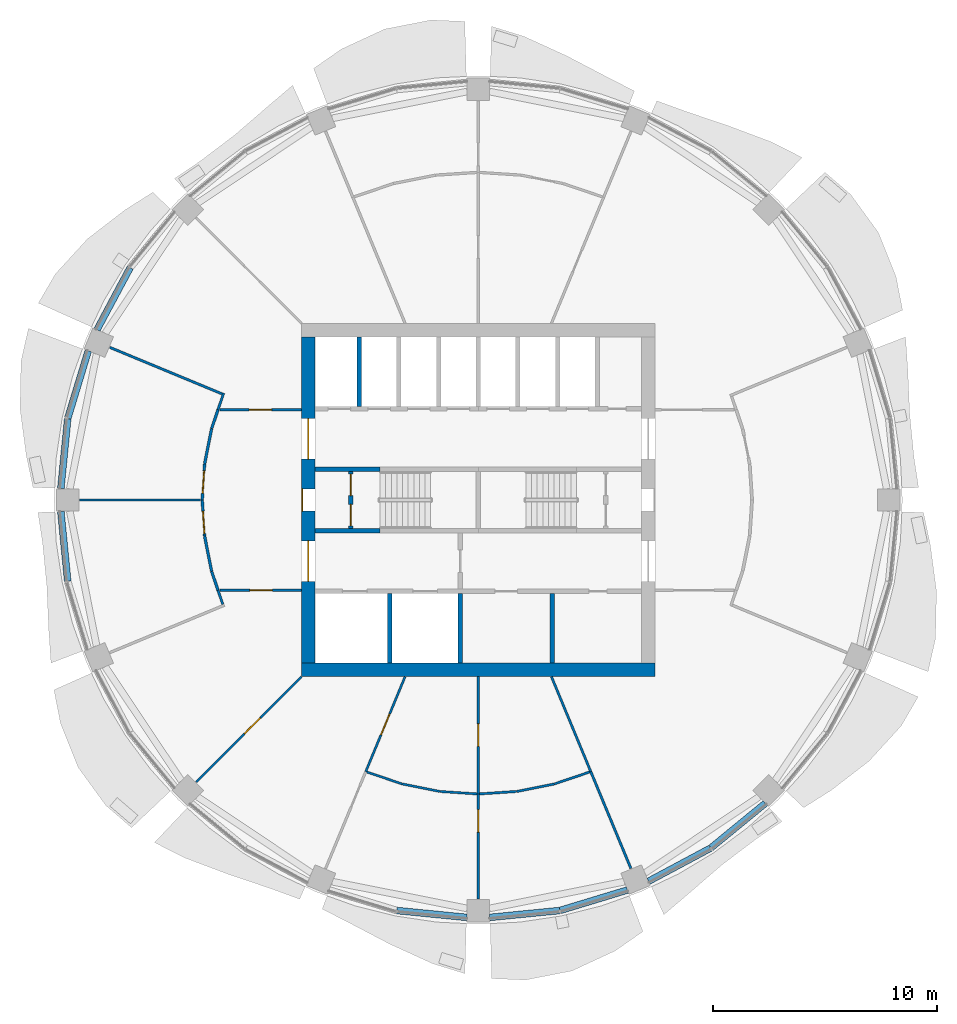
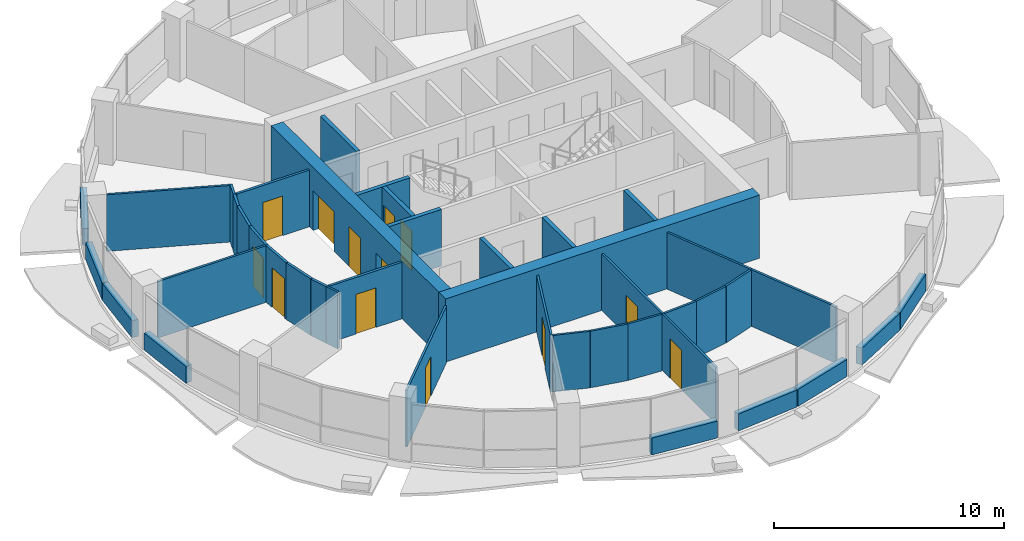
# One storey, part 8 of 14: 42 walls, 13 doors, 13 openings.
"""IFC4 building model written with IfcOpenShell, lengths in metres."""

from ifc_helpers import new_model, si_unit, direction, frame, frame_2d, origin, place, context, subcontext, project, spatial, rectangle, extrude, material, layer, layer_set, type_object, element, fill, save


model = new_model("IFC4")

# Units and contexts
model_context = context("Model", 3, precision=1e-05, world=origin(), true_north=direction((0.0, 1.0)))
body_context = subcontext(model_context, "Body", "Model", "MODEL_VIEW")
ifc_project = project(units=[si_unit("LENGTHUNIT", "METRE"), si_unit("AREAUNIT", "SQUARE_METRE"), si_unit("VOLUMEUNIT", "CUBIC_METRE"), si_unit("PLANEANGLEUNIT", "RADIAN"), si_unit("MASSUNIT", "GRAM", prefix="KILO")], contexts=[model_context])

# Site, building, storey
site_placement = place(None, origin())
site = spatial("IfcSite", under=ifc_project, at=site_placement, CompositionType="ELEMENT")
building_placement = place(site_placement, origin())
building = spatial("IfcBuilding", under=site, at=building_placement, Name="Polderwave Tower", CompositionType="ELEMENT")
storey_placement = place(building_placement, frame((0.0, 0.0, 144.39990234375)))
storey = spatial("IfcBuildingStorey", under=building, at=storey_placement, Name="L38", CompositionType="ELEMENT", Elevation=144.39990234375)

# Wall
ifc_material_1 = material(Name="Concrete C60/75", Category="concrete")
ifc_layer_1 = layer(ifc_material_1, 0.60009765625)
ifc_layer_set_1 = layer_set([ifc_layer_1], Name="CORE WALL 600 C60/75")
wall_type_1 = type_object("IfcWallType", Name="CORE WALL 600 C60/75", PredefinedType="SHEAR", material=ifc_layer_set_1)
wall_1_placement = place(storey_placement, frame((-7.8740234375, -7.573974609375, 0.0), z_axis=(0.0, 0.0, 1.0), x_axis=(1.0, 0.0, 0.0)))
element("IfcWall", 1, at=wall_1_placement, inside=storey, type_object=wall_type_1, Name="ST-CORE-L38-S", PredefinedType="SHEAR", context=body_context, shape_type="SweptSolid", body=[
    extrude(rectangle(XDim=15.748046875, YDim=0.60009765625, at=frame_2d((7.8740234375, 0.0))), origin(), (0.0, 0.0, 1.0), 3.35009765625),
])

# Wall, openings, doors
wall_2_placement = place(storey_placement, frame((-7.573974609375, -7.27392578125, 0.0), z_axis=(0.0, 0.0, 1.0), x_axis=(0.0, 1.0, 0.0)))
wall_2 = element("IfcWall", 2, at=wall_2_placement, inside=storey, type_object=wall_type_1, Name="ST-CORE-L38-W", PredefinedType="SHEAR", context=body_context, shape_type="SweptSolid", body=[
    extrude(rectangle(XDim=14.5478515625, YDim=0.60009765625, at=frame_2d((7.27392578125, 0.0))), origin(), (0.0, 0.0, 1.0), 3.35009765625),
])
opening_1_placement = place(wall_2_placement, frame((6.77392578125, 0.0, 0.0)))
opening_1 = element("IfcOpeningElement", 3, at=opening_1_placement, cuts=wall_2, Name="Opening L38-D18", PredefinedType="OPENING", context=body_context, shape_type="SweptSolid", body=[
    extrude(rectangle(XDim=1.0, YDim=2.10009765625, at=frame_2d((0.5, 1.050048828125))), frame((0.0, 0.31005859375, 0.0), z_axis=(0.0, -1.0, 0.0), x_axis=(1.0, 0.0, 0.0)), (0.0, 0.0, 1.0), 0.6201171875),
])
opening_2_placement = place(wall_2_placement, frame((3.6494140625, 0.0, 0.0)))
opening_2 = element("IfcOpeningElement", 4, at=opening_2_placement, cuts=wall_2, Name="Opening L38-D19", PredefinedType="OPENING", context=body_context, shape_type="SweptSolid", body=[
    extrude(rectangle(XDim=1.800048828125, YDim=2.10009765625, at=frame_2d((0.89990234375, 1.050048828125))), frame((0.0, 0.31005859375, 0.0), z_axis=(0.0, -1.0, 0.0), x_axis=(1.0, 0.0, 0.0)), (0.0, 0.0, 1.0), 0.6201171875),
])
opening_3_placement = place(wall_2_placement, frame((9.098388671875, 0.0, 0.0)))
opening_3 = element("IfcOpeningElement", 5, at=opening_3_placement, cuts=wall_2, Name="Opening L38-D20", PredefinedType="OPENING", context=body_context, shape_type="SweptSolid", body=[
    extrude(rectangle(XDim=1.800048828125, YDim=2.10009765625, at=frame_2d((0.89990234375, 1.050048828125))), frame((0.0, 0.31005859375, 0.0), z_axis=(0.0, -1.0, 0.0), x_axis=(1.0, 0.0, 0.0)), (0.0, 0.0, 1.0), 0.6201171875),
])
ifc_material_2 = material(Name="Steel fire door", Category="steel")
door_type_1 = type_object("IfcDoorType", Name="Lobby entry door pair 1800", OperationType="DOUBLE_DOOR_SINGLE_SWING", PredefinedType="DOOR", material=ifc_material_2)
door_1_placement = place(opening_2_placement, origin())
door_1 = element("IfcDoor", 6, at=door_1_placement, inside=storey, type_object=door_type_1, Name="Fire-fighting lobby entry door", OperationType="DOUBLE_DOOR_SINGLE_SWING", OverallHeight=2.10009765625, OverallWidth=1.800048828125, PredefinedType="DOOR", context=body_context, shape_type="SweptSolid", body=[
    extrude(rectangle(XDim=1.800048828125, YDim=2.10009765625, at=frame_2d((0.89990234375, 1.050048828125))), frame((0.0, 0.02490234375, 0.0), z_axis=(0.0, -1.0, 0.0), x_axis=(1.0, 0.0, 0.0)), (0.0, 0.0, 1.0), 0.050048828125),
])
fill(opening_2, door_1)
door_2_placement = place(opening_3_placement, origin())
door_2 = element("IfcDoor", 7, at=door_2_placement, inside=storey, type_object=door_type_1, Name="North lobby entry door", OperationType="DOUBLE_DOOR_SINGLE_SWING", OverallHeight=2.10009765625, OverallWidth=1.800048828125, PredefinedType="DOOR", context=body_context, shape_type="SweptSolid", body=[
    extrude(rectangle(XDim=1.800048828125, YDim=2.10009765625, at=frame_2d((0.89990234375, 1.050048828125))), frame((0.0, 0.02490234375, 0.0), z_axis=(0.0, -1.0, 0.0), x_axis=(1.0, 0.0, 0.0)), (0.0, 0.0, 1.0), 0.050048828125),
])
fill(opening_3, door_2)
door_type_2 = type_object("IfcDoorType", Name="Stair door 1000", OperationType="NOTDEFINED", PredefinedType="DOOR", material=ifc_material_2)
door_3_placement = place(opening_1_placement, origin())
door_3 = element("IfcDoor", 8, at=door_3_placement, inside=storey, type_object=door_type_2, Name="Stair A entry door", OperationType="SINGLE_SWING_RIGHT", OverallHeight=2.10009765625, OverallWidth=1.0, PredefinedType="DOOR", context=body_context, shape_type="SweptSolid", body=[
    extrude(rectangle(XDim=1.0, YDim=2.10009765625, at=frame_2d((0.5, 1.050048828125))), frame((0.0, 0.2998046875, 0.0), z_axis=(0.0, -1.0, 0.0), x_axis=(1.0, 0.0, 0.0)), (0.0, 0.0, 1.0), 0.050048828125),
])
fill(opening_1, door_3)

# Walls
ifc_material_3 = material(Name="Concrete C50/60 (board-marked)", Category="concrete")
ifc_layer_2 = layer(ifc_material_3, 0.300048828125)
ifc_layer_set_2 = layer_set([ifc_layer_2], Name="Concrete spandrel upstand C50/60")
wall_type_2 = type_object("IfcWallType", Name="Concrete spandrel upstand C50/60", PredefinedType="SOLIDWALL", material=ifc_layer_set_2)
for number, where, z_axis, x_axis, name in (
    (9, (-15.51318359375, 10.347900390625, 0.0), (0.0, 0.0, 1.0), (-0.471577373746, -0.881824688116, 0.0), "Spandrel L38 7b"),
    (10, (-17.37939453125, 6.642578125, 0.0), (0.0, 0.0, 1.0), (-0.290614442714, -0.95684024042, 0.0), "Spandrel L38 8a"),
):
    element("IfcWall", number, at=place(storey_placement, frame(where, z_axis=z_axis, x_axis=x_axis)), inside=storey, type_object=wall_type_2, Name=name, PredefinedType="SOLIDWALL", context=body_context, shape_type="SweptSolid", body=[
        extrude(rectangle(XDim=3.125, YDim=0.300048828125, at=frame_2d((1.5625, 0.0))), origin(), (0.0, 0.0, 1.0), 0.900146484375),
    ])
for number, where, z_axis, x_axis, name in (
    (11, (-18.29345703125, 3.623046875, 0.0), (0.0, 0.0, 1.0), (-0.097994848851, -0.995186921939, 0.0), "Spandrel L38 8b"),
    (12, (-18.599609375, -0.513916015625, 0.0), (0.0, 0.0, 1.0), (0.097994848851, -0.995186921939, 0.0), "Spandrel L38 9a"),
    (13, (-3.623046875, -18.29345703125, 0.0), (0.0, 0.0, 1.0), (0.995186921939, -0.097994848851, 0.0), "Spandrel L38 12b"),
    (14, (0.513916015625, -18.599609375, 0.0), (0.0, 0.0, 1.0), (0.995186921939, 0.097994848851, 0.0), "Spandrel L38 13a"),
):
    element("IfcWall", number, at=place(storey_placement, frame(where, z_axis=z_axis, x_axis=x_axis)), inside=storey, type_object=wall_type_2, Name=name, PredefinedType="SOLIDWALL", context=body_context, shape_type="SweptSolid", body=[
        extrude(rectangle(XDim=3.124267578125, YDim=0.300048828125, at=frame_2d((1.56201171875, 0.0))), origin(), (0.0, 0.0, 1.0), 0.900146484375),
    ])
for number, where, z_axis, x_axis, name in (
    (15, (3.65234375, -18.28759765625, 0.0), (0.0, 0.0, 1.0), (0.95684024042, 0.290614442714, 0.0), "Spandrel L38 13b"),
    (16, (7.59228515625, -16.98681640625, 0.0), (0.0, 0.0, 1.0), (0.881824688116, 0.471577373746, 0.0), "Spandrel L38 14a"),
    (17, (10.37255859375, -15.49658203125, 0.0), (0.0, 0.0, 1.0), (0.773351289405, 0.633977746593, 0.0), "Spandrel L38 14b"),
):
    element("IfcWall", number, at=place(storey_placement, frame(where, z_axis=z_axis, x_axis=x_axis)), inside=storey, type_object=wall_type_2, Name=name, PredefinedType="SOLIDWALL", context=body_context, shape_type="SweptSolid", body=[
        extrude(rectangle(XDim=3.125, YDim=0.300048828125, at=frame_2d((1.5625, 0.0))), origin(), (0.0, 0.0, 1.0), 0.900146484375),
    ])
ifc_material_4 = material(Name="Gypsum board partition")
ifc_layer_3 = layer(ifc_material_4, 0.199951171875)
ifc_layer_set_3 = layer_set([ifc_layer_3], Name="Core room partition 200")
wall_type_3 = type_object("IfcWallType", Name="Core room partition 200", PredefinedType="PARTITIONING", material=ifc_layer_set_3)
wall_3_placement = place(storey_placement, frame((3.287109375, -7.27392578125, 0.0), z_axis=(0.0, 0.0, 1.0), x_axis=(0.0, 1.0, 0.0)))
element("IfcWall", 18, at=wall_3_placement, inside=storey, type_object=wall_type_3, Name="L38 room partition S1", PredefinedType="PARTITIONING", context=body_context, shape_type="SweptSolid", body=[
    extrude(rectangle(XDim=3.099853515625, YDim=0.199951171875, at=frame_2d((1.5498046875, 0.0))), origin(), (0.0, 0.0, 1.0), 3.0),
])

# Wall, openings, doors
wall_4_placement = place(storey_placement, frame((-5.674072265625, -1.27490234375, 0.0), z_axis=(0.0, 0.0, 1.0), x_axis=(0.0, 1.0, 0.0)))
wall_4 = element("IfcWall", 19, at=wall_4_placement, inside=storey, type_object=wall_type_3, Name="L38 smoke lobby wall A", PredefinedType="PARTITIONING", context=body_context, shape_type="SweptSolid", body=[
    extrude(rectangle(XDim=2.5498046875, YDim=0.199951171875, at=frame_2d((1.27490234375, 0.0))), origin(), (0.0, 0.0, 1.0), 3.0),
])
opening_4_placement = place(wall_4_placement, frame((0.125, 0.0, 0.0)))
opening_4 = element("IfcOpeningElement", 20, at=opening_4_placement, cuts=wall_4, Name="Opening L38-D10", PredefinedType="OPENING", context=body_context, shape_type="SweptSolid", body=[
    extrude(rectangle(XDim=0.949951171875, YDim=2.10009765625, at=frame_2d((0.47509765625, 1.050048828125))), frame((0.0, 0.10986328125, 0.0), z_axis=(0.0, -1.0, 0.0), x_axis=(1.0, 0.0, 0.0)), (0.0, 0.0, 1.0), 0.219970703125),
])
opening_5_placement = place(wall_4_placement, frame((1.47509765625, 0.0, 0.0)))
opening_5 = element("IfcOpeningElement", 21, at=opening_5_placement, cuts=wall_4, Name="Opening L38-D11", PredefinedType="OPENING", context=body_context, shape_type="SweptSolid", body=[
    extrude(rectangle(XDim=0.949951171875, YDim=2.10009765625, at=frame_2d((0.47509765625, 1.050048828125))), frame((0.0, 0.10986328125, 0.0), z_axis=(0.0, -1.0, 0.0), x_axis=(1.0, 0.0, 0.0)), (0.0, 0.0, 1.0), 0.219970703125),
])
door_type_3 = type_object("IfcDoorType", Name="Smoke lobby door 950", OperationType="NOTDEFINED", PredefinedType="DOOR", material=ifc_material_2)
door_4_placement = place(opening_4_placement, origin())
door_4 = element("IfcDoor", 22, at=door_4_placement, inside=storey, type_object=door_type_3, Name="Stair A smoke lobby inner door", OperationType="SINGLE_SWING_LEFT", OverallHeight=2.10009765625, OverallWidth=0.949951171875, PredefinedType="DOOR", context=body_context, shape_type="SweptSolid", body=[
    extrude(rectangle(XDim=0.949951171875, YDim=2.10009765625, at=frame_2d((0.47509765625, 1.050048828125))), frame((0.0, 0.02490234375, 0.0), z_axis=(0.0, -1.0, 0.0), x_axis=(1.0, 0.0, 0.0)), (0.0, 0.0, 1.0), 0.050048828125),
])
fill(opening_4, door_4)
door_5_placement = place(opening_5_placement, origin())
door_5 = element("IfcDoor", 23, at=door_5_placement, inside=storey, type_object=door_type_3, Name="Stair A smoke lobby inner door", OperationType="SINGLE_SWING_RIGHT", OverallHeight=2.10009765625, OverallWidth=0.949951171875, PredefinedType="DOOR", context=body_context, shape_type="SweptSolid", body=[
    extrude(rectangle(XDim=0.949951171875, YDim=2.10009765625, at=frame_2d((0.47509765625, 1.050048828125))), frame((0.0, 0.02490234375, 0.0), z_axis=(0.0, -1.0, 0.0), x_axis=(1.0, 0.0, 0.0)), (0.0, 0.0, 1.0), 0.050048828125),
])
fill(opening_5, door_5)

# Walls
ifc_material_5 = material(Name="Concrete C50/60", Category="concrete")
ifc_layer_4 = layer(ifc_material_5, 0.199951171875)
ifc_layer_set_4 = layer_set([ifc_layer_4], Name="Core web wall 200")
wall_type_4 = type_object("IfcWallType", Name="Core web wall 200", PredefinedType="SHEAR", material=ifc_layer_set_4)
for number, where, z_axis, x_axis, name in (
    (24, (-7.27392578125, -1.375, 0.0), (0.0, 0.0, 1.0), (1.0, 0.0, 0.0), "L38 south stair wall 1"),
    (25, (-7.27392578125, 1.375, 0.0), (0.0, 0.0, 1.0), (1.0, 0.0, 0.0), "L38 north stair wall 1"),
):
    element("IfcWall", number, at=place(storey_placement, frame(where, z_axis=z_axis, x_axis=x_axis)), inside=storey, type_object=wall_type_4, Name=name, PredefinedType="SHEAR", context=body_context, shape_type="SweptSolid", body=[
        extrude(rectangle(XDim=2.89990234375, YDim=0.199951171875, at=frame_2d((1.449951171875, 0.0))), origin(), (0.0, 0.0, 1.0), 3.0),
    ])

# Wall, opening, door
ifc_material_6 = material(Name="Fire-resisting board on steel studs", Category="steel")
ifc_layer_5 = layer(ifc_material_6, 0.125)
ifc_layer_set_5 = layer_set([ifc_layer_5], Name="Corridor wall 125 mm EI 60")
wall_type_5 = type_object("IfcWallType", Name="Corridor wall 125 mm EI 60", PredefinedType="PARTITIONING", material=ifc_layer_set_5)
wall_5_placement = place(storey_placement, frame((-11.50830078125, 4.0244140625, 0.0), z_axis=(0.0, 0.0, 1.0), x_axis=(1.0, 0.0, 0.0)))
wall_5 = element("IfcWall", 26, at=wall_5_placement, inside=storey, type_object=wall_type_5, Name="IN-L38-W009", PredefinedType="PARTITIONING", context=body_context, shape_type="SweptSolid", body=[
    extrude(rectangle(XDim=3.63427734375, YDim=0.125, at=frame_2d((1.817138671875, 0.0))), origin(), (0.0, 0.0, 1.0), 3.0),
])
opening_6_placement = place(wall_5_placement, frame((1.300048828125, 0.0, 0.0)))
opening_6 = element("IfcOpeningElement", 27, at=opening_6_placement, cuts=wall_5, Name="Opening L38-D53", PredefinedType="OPENING", context=body_context, shape_type="SweptSolid", body=[
    extrude(rectangle(XDim=1.0, YDim=2.10009765625, at=frame_2d((0.5, 1.050048828125))), frame((0.0, 0.072509765625, 0.0), z_axis=(0.0, -1.0, 0.0), x_axis=(1.0, 0.0, 0.0)), (0.0, 0.0, 1.0), 0.14501953125),
])
ifc_material_7 = material(Name="Timber fire door leaf", Category="wood")
door_type_4 = type_object("IfcDoorType", Name="Fire door FD30S 1000 x 2100", OperationType="NOTDEFINED", PredefinedType="DOOR", material=ifc_material_7)
door_6_placement = place(opening_6_placement, origin())
door_6 = element("IfcDoor", 28, at=door_6_placement, inside=storey, type_object=door_type_4, Name="Door L38-D53", OperationType="SINGLE_SWING_LEFT", OverallHeight=2.10009765625, OverallWidth=1.0, PredefinedType="DOOR", context=body_context, shape_type="SweptSolid", body=[
    extrude(rectangle(XDim=1.0, YDim=2.10009765625, at=frame_2d((0.5, 1.050048828125))), frame((0.0, 0.02490234375, 0.0), z_axis=(0.0, -1.0, 0.0), x_axis=(1.0, 0.0, 0.0)), (0.0, 0.0, 1.0), 0.050048828125),
])
fill(opening_6, door_6)

wall_6_placement = place(storey_placement, frame((-12.300048828125, 0.0, 0.0), z_axis=(0.0, 0.0, 1.0), x_axis=(0.065418342457, 0.997857925995, 0.0)))
wall_6 = element("IfcWall", 29, at=wall_6_placement, inside=storey, type_object=wall_type_5, Name="IN-L38-W010", PredefinedType="PARTITIONING", context=body_context, shape_type="SweptSolid", body=[
    extrude(rectangle(XDim=1.604736328125, YDim=0.125, at=frame_2d((0.80224609375, 0.0))), origin(), (0.0, 0.0, 1.0), 3.0),
])
opening_7_placement = place(wall_6_placement, frame((0.300048828125, 0.0, 0.0)))
opening_7 = element("IfcOpeningElement", 30, at=opening_7_placement, cuts=wall_6, Name="Opening L38-D54", PredefinedType="OPENING", context=body_context, shape_type="SweptSolid", body=[
    extrude(rectangle(XDim=1.0, YDim=2.10009765625, at=frame_2d((0.5, 1.050048828125))), frame((0.0, 0.072509765625, 0.0), z_axis=(0.0, -1.0, 0.0), x_axis=(1.0, 0.0, 0.0)), (0.0, 0.0, 1.0), 0.14501953125),
])
door_7_placement = place(opening_7_placement, origin())
door_7 = element("IfcDoor", 31, at=door_7_placement, inside=storey, type_object=door_type_4, Name="Door L38-D54", OperationType="SINGLE_SWING_LEFT", OverallHeight=2.10009765625, OverallWidth=1.0, PredefinedType="DOOR", context=body_context, shape_type="SweptSolid", body=[
    extrude(rectangle(XDim=1.0, YDim=2.10009765625, at=frame_2d((0.5, 1.050048828125))), frame((0.0, 0.02490234375, 0.0), z_axis=(0.0, -1.0, 0.0), x_axis=(1.0, 0.0, 0.0)), (0.0, 0.0, 1.0), 0.050048828125),
])
fill(opening_7, door_7)

# Walls
wall_7_placement = place(storey_placement, frame((-12.194091796875, 1.609619140625, 0.0), z_axis=(0.0, 0.0, 1.0), x_axis=(0.195236085831, 0.980756274917, 0.0)))
element("IfcWall", 32, at=wall_7_placement, inside=storey, type_object=wall_type_5, Name="IN-L38-W011", PredefinedType="PARTITIONING", context=body_context, shape_type="SweptSolid", body=[
    extrude(rectangle(XDim=1.6005859375, YDim=0.125, at=frame_2d((0.80029296875, 0.0))), origin(), (0.0, 0.0, 1.0), 3.0),
])
wall_8_placement = place(storey_placement, frame((-11.879638671875, 3.1875, 0.0), z_axis=(0.0, 0.0, 1.0), x_axis=(0.321526351952, 0.946900631006, 0.0)))
element("IfcWall", 33, at=wall_8_placement, inside=storey, type_object=wall_type_5, Name="IN-L38-W012", PredefinedType="PARTITIONING", context=body_context, shape_type="SweptSolid", body=[
    extrude(rectangle(XDim=0.8837890625, YDim=0.125, at=frame_2d((0.44189453125, 0.0))), origin(), (0.0, 0.0, 1.0), 3.0),
])

# Wall, opening, door
wall_9_placement = place(storey_placement, frame((-7.8740234375, -4.0244140625, 0.0), z_axis=(0.0, 0.0, 1.0), x_axis=(-1.0, 0.0, 0.0)))
wall_9 = element("IfcWall", 34, at=wall_9_placement, inside=storey, type_object=wall_type_5, Name="IN-L38-W013", PredefinedType="PARTITIONING", context=body_context, shape_type="SweptSolid", body=[
    extrude(rectangle(XDim=3.63427734375, YDim=0.125, at=frame_2d((1.817138671875, 0.0))), origin(), (0.0, 0.0, 1.0), 3.0),
])
opening_8_placement = place(wall_9_placement, frame((1.300048828125, 0.0, 0.0)))
opening_8 = element("IfcOpeningElement", 35, at=opening_8_placement, cuts=wall_9, Name="Opening L38-D55", PredefinedType="OPENING", context=body_context, shape_type="SweptSolid", body=[
    extrude(rectangle(XDim=1.0, YDim=2.10009765625, at=frame_2d((0.5, 1.050048828125))), frame((0.0, 0.072509765625, 0.0), z_axis=(0.0, -1.0, 0.0), x_axis=(1.0, 0.0, 0.0)), (0.0, 0.0, 1.0), 0.14501953125),
])
door_8_placement = place(opening_8_placement, origin())
door_8 = element("IfcDoor", 36, at=door_8_placement, inside=storey, type_object=door_type_4, Name="Door L38-D55", OperationType="SINGLE_SWING_LEFT", OverallHeight=2.10009765625, OverallWidth=1.0, PredefinedType="DOOR", context=body_context, shape_type="SweptSolid", body=[
    extrude(rectangle(XDim=1.0, YDim=2.10009765625, at=frame_2d((0.5, 1.050048828125))), frame((0.0, 0.02490234375, 0.0), z_axis=(0.0, -1.0, 0.0), x_axis=(1.0, 0.0, 0.0)), (0.0, 0.0, 1.0), 0.050048828125),
])
fill(opening_8, door_8)

wall_10_placement = place(storey_placement, frame((-12.195068359375, -1.601318359375, 0.0), z_axis=(0.0, 0.0, 1.0), x_axis=(-0.065418342457, 0.997857925995, 0.0)))
wall_10 = element("IfcWall", 37, at=wall_10_placement, inside=storey, type_object=wall_type_5, Name="IN-L38-W014", PredefinedType="PARTITIONING", context=body_context, shape_type="SweptSolid", body=[
    extrude(rectangle(XDim=1.604736328125, YDim=0.125, at=frame_2d((0.80224609375, 0.0))), origin(), (0.0, 0.0, 1.0), 3.0),
])
opening_9_placement = place(wall_10_placement, frame((0.10009765625, 0.0, 0.0)))
opening_9 = element("IfcOpeningElement", 38, at=opening_9_placement, cuts=wall_10, Name="Opening L38-D56", PredefinedType="OPENING", context=body_context, shape_type="SweptSolid", body=[
    extrude(rectangle(XDim=1.0, YDim=2.10009765625, at=frame_2d((0.5, 1.050048828125))), frame((0.0, 0.072509765625, 0.0), z_axis=(0.0, -1.0, 0.0), x_axis=(1.0, 0.0, 0.0)), (0.0, 0.0, 1.0), 0.14501953125),
])
door_9_placement = place(opening_9_placement, origin())
door_9 = element("IfcDoor", 39, at=door_9_placement, inside=storey, type_object=door_type_4, Name="Door L38-D56", OperationType="SINGLE_SWING_LEFT", OverallHeight=2.10009765625, OverallWidth=1.0, PredefinedType="DOOR", context=body_context, shape_type="SweptSolid", body=[
    extrude(rectangle(XDim=1.0, YDim=2.10009765625, at=frame_2d((0.5, 1.050048828125))), frame((0.0, 0.02490234375, 0.0), z_axis=(0.0, -1.0, 0.0), x_axis=(1.0, 0.0, 0.0)), (0.0, 0.0, 1.0), 0.050048828125),
])
fill(opening_9, door_9)

# Walls
wall_11_placement = place(storey_placement, frame((-11.881591796875, -3.179443359375, 0.0), z_axis=(0.0, 0.0, 1.0), x_axis=(-0.195236085831, 0.980756274917, 0.0)))
element("IfcWall", 40, at=wall_11_placement, inside=storey, type_object=wall_type_5, Name="IN-L38-W015", PredefinedType="PARTITIONING", context=body_context, shape_type="SweptSolid", body=[
    extrude(rectangle(XDim=1.6005859375, YDim=0.125, at=frame_2d((0.80029296875, 0.0))), origin(), (0.0, 0.0, 1.0), 3.0),
])
wall_12_placement = place(storey_placement, frame((-11.595458984375, -4.0244140625, 0.0), z_axis=(0.0, 0.0, 1.0), x_axis=(-0.321526351952, 0.946900631006, 0.0)))
element("IfcWall", 41, at=wall_12_placement, inside=storey, type_object=wall_type_5, Name="IN-L38-W016", PredefinedType="PARTITIONING", context=body_context, shape_type="SweptSolid", body=[
    extrude(rectangle(XDim=0.8837890625, YDim=0.125, at=frame_2d((0.44189453125, 0.0))), origin(), (0.0, 0.0, 1.0), 3.0),
])

# Wall, opening, door
ifc_material_8 = material(Name="Plasterboard on steel studs", Category="steel")
ifc_layer_6 = layer(ifc_material_8, 0.10009765625)
ifc_layer_set_6 = layer_set([ifc_layer_6], Name="Partition 100 mm plasterboard on steel studs")
wall_type_6 = type_object("IfcWallType", Name="Partition 100 mm plasterboard on steel studs", PredefinedType="PARTITIONING", material=ifc_layer_set_6)
wall_13_placement = place(storey_placement, frame((-7.8740234375, -7.8740234375, 0.0), z_axis=(0.0, 0.0, 1.0), x_axis=(-0.707106781187, -0.707106781187, 0.0)))
wall_13 = element("IfcWall", 42, at=wall_13_placement, inside=storey, type_object=wall_type_6, Name="IN-L38-W039", PredefinedType="PARTITIONING", context=body_context, shape_type="SweptSolid", body=[
    extrude(rectangle(XDim=6.63427734375, YDim=0.10009765625, at=frame_2d((3.317138671875, 0.0))), origin(), (0.0, 0.0, 1.0), 3.0),
])
opening_10_placement = place(wall_13_placement, frame((2.60009765625, 0.0, 0.0)))
opening_10 = element("IfcOpeningElement", 43, at=opening_10_placement, cuts=wall_13, Name="Opening L38-D62", PredefinedType="OPENING", context=body_context, shape_type="SweptSolid", body=[
    extrude(rectangle(XDim=1.0, YDim=2.10009765625, at=frame_2d((0.5, 1.050048828125))), frame((0.0, 0.06005859375, 0.0), z_axis=(0.0, -1.0, 0.0), x_axis=(1.0, 0.0, 0.0)), (0.0, 0.0, 1.0), 0.1201171875),
])
ifc_material_9 = material(Name="Timber veneer door leaf", Category="wood")
door_type_5 = type_object("IfcDoorType", Name="Single door 1000 x 2100", OperationType="NOTDEFINED", PredefinedType="DOOR", material=ifc_material_9)
door_10_placement = place(opening_10_placement, origin())
door_10 = element("IfcDoor", 44, at=door_10_placement, inside=storey, type_object=door_type_5, Name="Door L38-D62", OperationType="SINGLE_SWING_LEFT", OverallHeight=2.10009765625, OverallWidth=1.0, PredefinedType="DOOR", context=body_context, shape_type="SweptSolid", body=[
    extrude(rectangle(XDim=1.0, YDim=2.10009765625, at=frame_2d((0.5, 1.050048828125))), frame((0.0, 0.02490234375, 0.0), z_axis=(0.0, -1.0, 0.0), x_axis=(1.0, 0.0, 0.0)), (0.0, 0.0, 1.0), 0.050048828125),
])
fill(opening_10, door_10)

wall_14_placement = place(storey_placement, frame((-3.261474609375, -7.8740234375, 0.0), z_axis=(0.0, 0.0, 1.0), x_axis=(-0.382701956612, -0.923871859299, 0.0)))
wall_14 = element("IfcWall", 45, at=wall_14_placement, inside=storey, type_object=wall_type_6, Name="IN-L38-W040", PredefinedType="PARTITIONING", context=body_context, shape_type="SweptSolid", body=[
    extrude(rectangle(XDim=4.5771484375, YDim=0.10009765625, at=frame_2d((2.28857421875, 0.0))), origin(), (0.0, 0.0, 1.0), 3.0),
])
opening_11_placement = place(wall_14_placement, frame((1.800048828125, 0.0, 0.0)))
opening_11 = element("IfcOpeningElement", 46, at=opening_11_placement, cuts=wall_14, Name="Opening L38-D63", PredefinedType="OPENING", context=body_context, shape_type="SweptSolid", body=[
    extrude(rectangle(XDim=1.0, YDim=2.10009765625, at=frame_2d((0.5, 1.050048828125))), frame((0.0, 0.06005859375, 0.0), z_axis=(0.0, -1.0, 0.0), x_axis=(1.0, 0.0, 0.0)), (0.0, 0.0, 1.0), 0.1201171875),
])
door_11_placement = place(opening_11_placement, origin())
door_11 = element("IfcDoor", 47, at=door_11_placement, inside=storey, type_object=door_type_5, Name="Door L38-D63", OperationType="SINGLE_SWING_RIGHT", OverallHeight=2.10009765625, OverallWidth=1.0, PredefinedType="DOOR", context=body_context, shape_type="SweptSolid", body=[
    extrude(rectangle(XDim=1.0, YDim=2.10009765625, at=frame_2d((0.5, 1.050048828125))), frame((0.0, 0.02490234375, 0.0), z_axis=(0.0, -1.0, 0.0), x_axis=(1.0, 0.0, 0.0)), (0.0, 0.0, 1.0), 0.050048828125),
])
fill(opening_11, door_11)

# Walls
wall_15_placement = place(storey_placement, frame((-3.3935546875, -12.652587890625, 0.0), z_axis=(0.0, 0.0, 1.0), x_axis=(-0.946960286408, 0.321350612207, 0.0)))
element("IfcWall", 48, at=wall_15_placement, inside=storey, type_object=wall_type_6, Name="IN-L38-W042", PredefinedType="PARTITIONING", context=body_context, shape_type="SweptSolid", body=[
    extrude(rectangle(XDim=1.656982421875, YDim=0.10009765625, at=frame_2d((0.82861328125, 0.0))), origin(), (0.0, 0.0, 1.0), 3.0),
])
wall_16_placement = place(storey_placement, frame((-1.713134765625, -12.9873046875, 0.0), z_axis=(0.0, 0.0, 1.0), x_axis=(-0.980783695828, 0.195098288043, 0.0)))
element("IfcWall", 49, at=wall_16_placement, inside=storey, type_object=wall_type_6, Name="IN-L38-W043", PredefinedType="PARTITIONING", context=body_context, shape_type="SweptSolid", body=[
    extrude(rectangle(XDim=1.706787109375, YDim=0.10009765625, at=frame_2d((0.853515625, 0.0))), origin(), (0.0, 0.0, 1.0), 3.0),
])
wall_17_placement = place(storey_placement, frame((-0.055908203125, -13.09619140625, 0.0), z_axis=(0.0, 0.0, 1.0), x_axis=(-0.997860265299, 0.06538265013, 0.0)))
element("IfcWall", 50, at=wall_17_placement, inside=storey, type_object=wall_type_6, Name="IN-L38-W044", PredefinedType="PARTITIONING", context=body_context, shape_type="SweptSolid", body=[
    extrude(rectangle(XDim=1.654052734375, YDim=0.10009765625, at=frame_2d((0.8271484375, 0.0))), origin(), (0.0, 0.0, 1.0), 3.0),
])

# Wall, opening, door
wall_18_placement = place(storey_placement, frame((0.0, -13.10009765625, 0.0), z_axis=(0.0, 0.0, 1.0), x_axis=(0.0, -1.0, 0.0)))
wall_18 = element("IfcWall", 51, at=wall_18_placement, inside=storey, type_object=wall_type_6, Name="IN-L38-W046", PredefinedType="PARTITIONING", context=body_context, shape_type="SweptSolid", body=[
    extrude(rectangle(XDim=4.669921875, YDim=0.10009765625, at=frame_2d((2.3349609375, 0.0))), origin(), (0.0, 0.0, 1.0), 3.0),
])
opening_12_placement = place(wall_18_placement, frame((0.699951171875, 0.0, 0.0)))
opening_12 = element("IfcOpeningElement", 52, at=opening_12_placement, cuts=wall_18, Name="Opening L38-D66", PredefinedType="OPENING", context=body_context, shape_type="SweptSolid", body=[
    extrude(rectangle(XDim=1.0, YDim=2.10009765625, at=frame_2d((0.5, 1.050048828125))), frame((0.0, 0.06005859375, 0.0), z_axis=(0.0, -1.0, 0.0), x_axis=(1.0, 0.0, 0.0)), (0.0, 0.0, 1.0), 0.1201171875),
])
door_12_placement = place(opening_12_placement, origin())
door_12 = element("IfcDoor", 53, at=door_12_placement, inside=storey, type_object=door_type_5, Name="Door L38-D66", OperationType="SINGLE_SWING_LEFT", OverallHeight=2.10009765625, OverallWidth=1.0, PredefinedType="DOOR", context=body_context, shape_type="SweptSolid", body=[
    extrude(rectangle(XDim=1.0, YDim=2.10009765625, at=frame_2d((0.5, 1.050048828125))), frame((0.0, 0.02490234375, 0.0), z_axis=(0.0, -1.0, 0.0), x_axis=(1.0, 0.0, 0.0)), (0.0, 0.0, 1.0), 0.050048828125),
])
fill(opening_12, door_12)

ifc_material_10 = material(Name="Moisture-resistant board on steel studs, tiled", Category="steel")
ifc_layer_7 = layer(ifc_material_10, 0.10498046875)
ifc_layer_set_7 = layer_set([ifc_layer_7], Name="Partition 105 mm wet room board and tile")
wall_type_7 = type_object("IfcWallType", Name="Partition 105 mm wet room board and tile", PredefinedType="PARTITIONING", material=ifc_layer_set_7)
wall_19_placement = place(storey_placement, frame((0.0, -7.8740234375, 0.0), z_axis=(0.0, 0.0, 1.0), x_axis=(0.0, -1.0, 0.0)))
wall_19 = element("IfcWall", 54, at=wall_19_placement, inside=storey, type_object=wall_type_7, Name="IN-L38-W045", PredefinedType="PARTITIONING", context=body_context, shape_type="SweptSolid", body=[
    extrude(rectangle(XDim=5.22607421875, YDim=0.10498046875, at=frame_2d((2.613037109375, 0.0))), origin(), (0.0, 0.0, 1.0), 3.0),
])
opening_13_placement = place(wall_19_placement, frame((2.10009765625, 0.0, 0.0)))
opening_13 = element("IfcOpeningElement", 55, at=opening_13_placement, cuts=wall_19, Name="Opening L38-D65", PredefinedType="OPENING", context=body_context, shape_type="SweptSolid", body=[
    extrude(rectangle(XDim=1.0, YDim=2.10009765625, at=frame_2d((0.5, 1.050048828125))), frame((0.0, 0.0625, 0.0), z_axis=(0.0, -1.0, 0.0), x_axis=(1.0, 0.0, 0.0)), (0.0, 0.0, 1.0), 0.125),
])
door_13_placement = place(opening_13_placement, origin())
door_13 = element("IfcDoor", 56, at=door_13_placement, inside=storey, type_object=door_type_5, Name="Door L38-D65", OperationType="SINGLE_SWING_LEFT", OverallHeight=2.10009765625, OverallWidth=1.0, PredefinedType="DOOR", context=body_context, shape_type="SweptSolid", body=[
    extrude(rectangle(XDim=1.0, YDim=2.10009765625, at=frame_2d((0.5, 1.050048828125))), frame((0.0, 0.02490234375, 0.0), z_axis=(0.0, -1.0, 0.0), x_axis=(1.0, 0.0, 0.0)), (0.0, 0.0, 1.0), 0.050048828125),
])
fill(opening_13, door_13)

# Walls
wall_20_placement = place(storey_placement, frame((1.70654296875, -12.988037109375, 0.0), z_axis=(0.0, 0.0, 1.0), x_axis=(-0.997860265299, -0.06538265013, 0.0)))
element("IfcWall", 57, at=wall_20_placement, inside=storey, type_object=wall_type_7, Name="IN-L38-W047", PredefinedType="PARTITIONING", context=body_context, shape_type="SweptSolid", body=[
    extrude(rectangle(XDim=1.654052734375, YDim=0.10498046875, at=frame_2d((0.8271484375, 0.0))), origin(), (0.0, 0.0, 1.0), 3.0),
])
wall_21_placement = place(storey_placement, frame((3.38720703125, -12.654296875, 0.0), z_axis=(0.0, 0.0, 1.0), x_axis=(-0.980778250333, -0.195125661239, 0.0)))
element("IfcWall", 58, at=wall_21_placement, inside=storey, type_object=wall_type_7, Name="IN-L38-W048", PredefinedType="PARTITIONING", context=body_context, shape_type="SweptSolid", body=[
    extrude(rectangle(XDim=1.70654296875, YDim=0.10498046875, at=frame_2d((0.853271484375, 0.0))), origin(), (0.0, 0.0, 1.0), 3.0),
])
wall_22_placement = place(storey_placement, frame((4.957763671875, -12.12158203125, 0.0), z_axis=(0.0, 0.0, 1.0), x_axis=(-0.946909610255, -0.321499906698, 0.0)))
element("IfcWall", 59, at=wall_22_placement, inside=storey, type_object=wall_type_7, Name="IN-L38-W049", PredefinedType="PARTITIONING", context=body_context, shape_type="SweptSolid", body=[
    extrude(rectangle(XDim=1.651611328125, YDim=0.10498046875, at=frame_2d((0.82568359375, 0.0))), origin(), (0.0, 0.0, 1.0), 3.0),
])
wall_23_placement = place(storey_placement, frame((3.261474609375, -7.8740234375, 0.0), z_axis=(0.0, 0.0, 1.0), x_axis=(0.382701956612, -0.923871859299, 0.0)))
element("IfcWall", 60, at=wall_23_placement, inside=storey, type_object=wall_type_7, Name="IN-L38-W050", PredefinedType="PARTITIONING", context=body_context, shape_type="SweptSolid", body=[
    extrude(rectangle(XDim=4.5771484375, YDim=0.10498046875, at=frame_2d((2.28857421875, 0.0))), origin(), (0.0, 0.0, 1.0), 3.0),
])
ifc_material_11 = material(Name="Acoustic double plasterboard on steel studs", Category="steel")
ifc_layer_8 = layer(ifc_material_11, 0.110107421875)
ifc_layer_set_8 = layer_set([ifc_layer_8], Name="Partition 110 mm acoustic double board")
wall_type_8 = type_object("IfcWallType", Name="Partition 110 mm acoustic double board", PredefinedType="PARTITIONING", material=ifc_layer_set_8)
wall_24_placement = place(storey_placement, frame((-11.595458984375, 4.0244140625, 0.0), z_axis=(0.0, 0.0, 1.0), x_axis=(0.321603719707, 0.94687435675, 0.0)))
element("IfcWall", 61, at=wall_24_placement, inside=storey, type_object=wall_type_8, Name="IN-L38-W034", PredefinedType="PARTITIONING", context=body_context, shape_type="SweptSolid", body=[
    extrude(rectangle(XDim=0.77587890625, YDim=0.110107421875, at=frame_2d((0.387939453125, 0.0))), origin(), (0.0, 0.0, 1.0), 3.0),
])
wall_25_placement = place(storey_placement, frame((-11.41796875, 4.7294921875, 0.0), z_axis=(0.0, 0.0, 1.0), x_axis=(-0.923877157574, 0.38268916592, 0.0)))
element("IfcWall", 62, at=wall_25_placement, inside=storey, type_object=wall_type_8, Name="IN-L38-W035", PredefinedType="PARTITIONING", context=body_context, shape_type="SweptSolid", body=[
    extrude(rectangle(XDim=5.4111328125, YDim=0.110107421875, at=frame_2d((2.70556640625, 0.0))), origin(), (0.0, 0.0, 1.0), 3.0),
])
wall_26_placement = place(storey_placement, frame((-12.3662109375, 0.0, 0.0), z_axis=(0.0, 0.0, 1.0), x_axis=(-1.0, 0.0, 0.0)))
element("IfcWall", 63, at=wall_26_placement, inside=storey, type_object=wall_type_8, Name="IN-L38-W036", PredefinedType="PARTITIONING", context=body_context, shape_type="SweptSolid", body=[
    extrude(rectangle(XDim=5.40380859375, YDim=0.110107421875, at=frame_2d((2.701904296875, 0.0))), origin(), (0.0, 0.0, 1.0), 3.0),
])
wall_27_placement = place(storey_placement, frame((-11.382568359375, -4.6513671875, 0.0), z_axis=(0.0, 0.0, 1.0), x_axis=(-0.321532524378, 0.946898535096, 0.0)))
element("IfcWall", 64, at=wall_27_placement, inside=storey, type_object=wall_type_8, Name="IN-L38-W038", PredefinedType="PARTITIONING", context=body_context, shape_type="SweptSolid", body=[
    extrude(rectangle(XDim=0.662109375, YDim=0.110107421875, at=frame_2d((0.3310546875, 0.0))), origin(), (0.0, 0.0, 1.0), 3.0),
])
wall_28_placement = place(storey_placement, frame((5.01318359375, -12.102783203125, 0.0), z_axis=(0.0, 0.0, 1.0), x_axis=(0.382684232268, -0.92387920118, 0.0)))
element("IfcWall", 65, at=wall_28_placement, inside=storey, type_object=wall_type_8, Name="IN-L38-W051", PredefinedType="PARTITIONING", context=body_context, shape_type="SweptSolid", body=[
    extrude(rectangle(XDim=4.669921875, YDim=0.110107421875, at=frame_2d((2.3349609375, 0.0))), origin(), (0.0, 0.0, 1.0), 3.0),
])
ifc_material_12 = material(Name="Gypsum shaft wall system")
ifc_layer_9 = layer(ifc_material_12, 0.199951171875)
ifc_layer_set_9 = layer_set([ifc_layer_9], Name="Shaft wall 200")
wall_type_9 = type_object("IfcWallType", Name="Shaft wall 200", PredefinedType="PARTITIONING", material=ifc_layer_set_9)
for number, where, z_axis, x_axis, name in (
    (66, (-3.93701171875, -7.27392578125, 0.0), (0.0, 0.0, 1.0), (0.0, 1.0, 0.0), "L38 fire-fighting shaft wall 1"),
    (67, (-0.800048828125, -7.27392578125, 0.0), (0.0, 0.0, 1.0), (0.0, 1.0, 0.0), "L38 fire-fighting shaft wall 2"),
    (68, (-5.305419921875, 4.174072265625, 0.0), (0.0, 0.0, 1.0), (0.0, 1.0, 0.0), "L38 lift shaft wall N1"),
):
    element("IfcWall", number, at=place(storey_placement, frame(where, z_axis=z_axis, x_axis=x_axis)), inside=storey, type_object=wall_type_9, Name=name, PredefinedType="PARTITIONING", context=body_context, shape_type="SweptSolid", body=[
        extrude(rectangle(XDim=3.099853515625, YDim=0.199951171875, at=frame_2d((1.5498046875, 0.0))), origin(), (0.0, 0.0, 1.0), 3.0),
    ])

save(model, "model.ifc")
